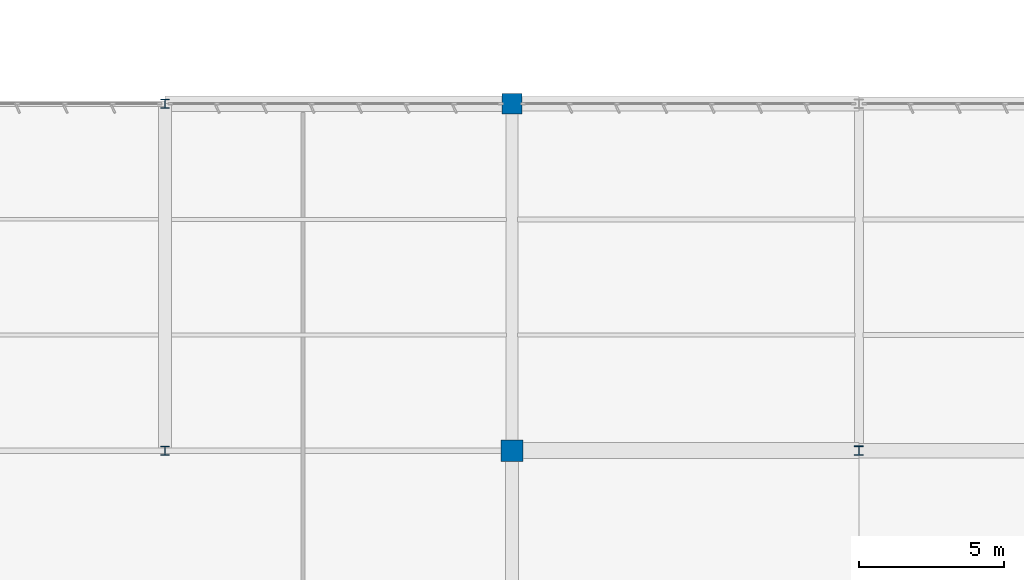
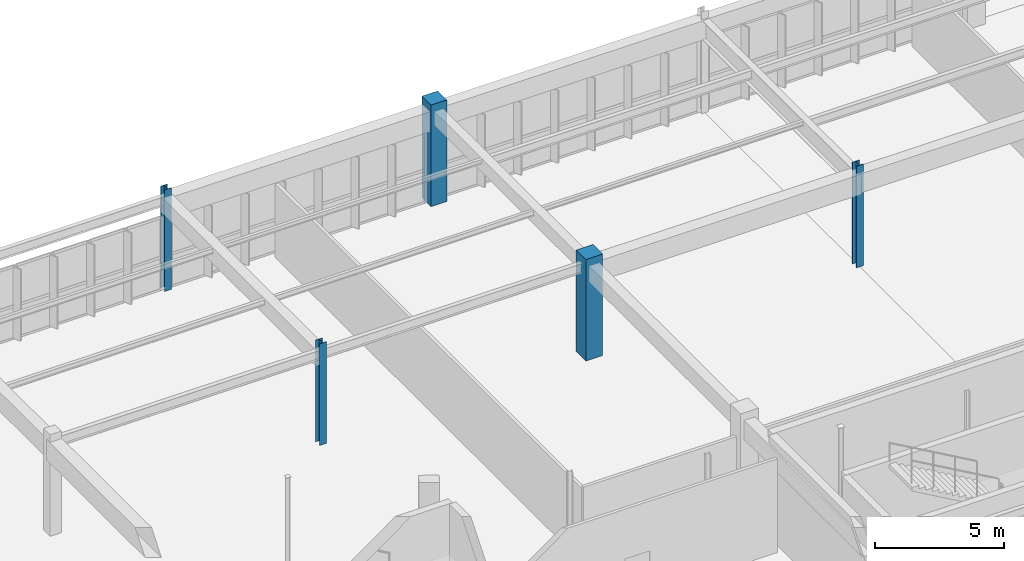
# One storey, part 13 of 226: 5 columns.
"""IFC4 building model written with IfcOpenShell, lengths in metres."""

from ifc_helpers import new_model, si_unit, direction, frame, origin, origin_2d, place, context, subcontext, project, spatial, rectangle, i_section, extrude, material, material_profile, profile_set, type_object, element, save


model = new_model("IFC4")

# Units and contexts
model_context = context("Model", 3, precision=1e-05, world=origin(), true_north=direction((0.0, 1.0)))
body_context = subcontext(model_context, "Body", "Model", "MODEL_VIEW")
ifc_project = project(units=[si_unit("LENGTHUNIT", "METRE"), si_unit("AREAUNIT", "SQUARE_METRE"), si_unit("VOLUMEUNIT", "CUBIC_METRE"), si_unit("PLANEANGLEUNIT", "RADIAN"), si_unit("MASSUNIT", "GRAM", prefix="KILO")], contexts=[model_context])

# Site, building, storey
site_placement = place(None, origin())
site = spatial("IfcSite", under=ifc_project, at=site_placement, CompositionType="ELEMENT")
building_placement = place(site_placement, origin())
building = spatial("IfcBuilding", under=site, at=building_placement, Name="Tarnwether General Hospital", CompositionType="ELEMENT")
storey_placement = place(building_placement, frame((0.0, 0.0, 4.800048828125)))
storey = spatial("IfcBuildingStorey", under=building, at=storey_placement, Name="L01", CompositionType="ELEMENT", Elevation=4.800048828125)

# Columns
ifc_material_1 = material(Name="Steel Grade 350 (350 MPa)", Category="steel")
ifc_material_profile_1 = material_profile(ifc_material_1, i_section(OverallWidth=0.31103515625, OverallDepth=0.326904296875, WebThickness=0.015625, FlangeThickness=0.02490234375, at=origin_2d()), Name="310UC158")
ifc_profile_set_1 = profile_set([ifc_material_profile_1], Name="Steel Grade 350 (350 MPa)")
column_type_1 = type_object("IfcColumnType", Name="COL-05", PredefinedType="COLUMN", material=ifc_profile_set_1)
column_1_placement = place(storey_placement, frame((96.0, 33.60009765625, 0.0), z_axis=(0.0, 0.0, 1.0), x_axis=(1.0, 0.0, 0.0)))
element("IfcColumn", 1, at=column_1_placement, inside=storey, type_object=column_type_1, Name="Column COLG-L01-9600_3360", PredefinedType="COLUMN", context=body_context, shape_type="SweptSolid", body=[
    extrude(i_section(OverallWidth=0.31103515625, OverallDepth=0.326904296875, WebThickness=0.015625, FlangeThickness=0.02490234375, at=origin_2d()), origin(), (0.0, 0.0, 1.0), 4.800048828125),
])
ifc_material_2 = material(Name="Steel Grade 350 (350 MPa)", Category="steel")
ifc_material_profile_2 = material_profile(ifc_material_2, i_section(OverallWidth=0.306884765625, OverallDepth=0.31494140625, WebThickness=0.011962890625, FlangeThickness=0.018798828125, at=origin_2d()), Name="310UC118")
ifc_profile_set_2 = profile_set([ifc_material_profile_2], Name="Steel Grade 350 (350 MPa)")
column_type_2 = type_object("IfcColumnType", Name="COL-07", PredefinedType="COLUMN", material=ifc_profile_set_2)
column_2_placement = place(storey_placement, frame((72.0, 33.60009765625, 0.0), z_axis=(0.0, 0.0, 1.0), x_axis=(1.0, 0.0, 0.0)))
element("IfcColumn", 2, at=column_2_placement, inside=storey, type_object=column_type_2, Name="Column COLG-L01-7200_3360", PredefinedType="COLUMN", context=body_context, shape_type="SweptSolid", body=[
    extrude(i_section(OverallWidth=0.306884765625, OverallDepth=0.31494140625, WebThickness=0.011962890625, FlangeThickness=0.018798828125, at=origin_2d()), origin(), (0.0, 0.0, 1.0), 4.800048828125),
])
ifc_material_3 = material(Name="Steel Grade 350 (350 MPa)", Category="steel")
ifc_material_profile_3 = material_profile(ifc_material_3, i_section(OverallWidth=0.304931640625, OverallDepth=0.30810546875, WebThickness=0.010009765625, FlangeThickness=0.015380859375, at=origin_2d()), Name="310UC96.8")
ifc_profile_set_3 = profile_set([ifc_material_profile_3], Name="Steel Grade 350 (350 MPa)")
column_type_3 = type_object("IfcColumnType", Name="COL-08", PredefinedType="COLUMN", material=ifc_profile_set_3)
column_3_placement = place(storey_placement, frame((72.0, 45.60009765625, 0.0), z_axis=(0.0, 0.0, 1.0), x_axis=(1.0, 0.0, 0.0)))
element("IfcColumn", 3, at=column_3_placement, inside=storey, type_object=column_type_3, Name="Column COLG-L01-7200_4560", PredefinedType="COLUMN", context=body_context, shape_type="SweptSolid", body=[
    extrude(i_section(OverallWidth=0.304931640625, OverallDepth=0.30810546875, WebThickness=0.010009765625, FlangeThickness=0.015380859375, at=origin_2d()), origin(), (0.0, 0.0, 1.0), 4.800048828125),
])
ifc_material_4 = material(Name="Concrete 50 MPa", Category="concrete")
ifc_material_profile_4 = material_profile(ifc_material_4, rectangle(XDim=0.75, YDim=0.75, at=origin_2d()), Name="RC-COL-750x750")
ifc_profile_set_4 = profile_set([ifc_material_profile_4], Name="Concrete 50 MPa")
column_type_4 = type_object("IfcColumnType", Name="COL-17", PredefinedType="COLUMN", material=ifc_profile_set_4)
column_4_placement = place(storey_placement, frame((84.0, 33.60009765625, 0.0), z_axis=(0.0, 0.0, 1.0), x_axis=(0.0, 1.0, 0.0)))
element("IfcColumn", 4, at=column_4_placement, inside=storey, type_object=column_type_4, Name="Column COLG-L01-8400_3360", PredefinedType="COLUMN", context=body_context, shape_type="SweptSolid", body=[
    extrude(rectangle(XDim=0.75, YDim=0.75, at=origin_2d()), origin(), (0.0, 0.0, 1.0), 4.800048828125),
])
ifc_material_5 = material(Name="Concrete 50 MPa", Category="concrete")
ifc_material_profile_5 = material_profile(ifc_material_5, rectangle(XDim=0.699951171875, YDim=0.699951171875, at=origin_2d()), Name="RC-COL-700x700")
ifc_profile_set_5 = profile_set([ifc_material_profile_5], Name="Concrete 50 MPa")
column_type_5 = type_object("IfcColumnType", Name="COL-18", PredefinedType="COLUMN", material=ifc_profile_set_5)
column_5_placement = place(storey_placement, frame((84.0, 45.60009765625, 0.0), z_axis=(0.0, 0.0, 1.0), x_axis=(0.0, 1.0, 0.0)))
element("IfcColumn", 5, at=column_5_placement, inside=storey, type_object=column_type_5, Name="Column COLG-L01-8400_4560", PredefinedType="COLUMN", context=body_context, shape_type="SweptSolid", body=[
    extrude(rectangle(XDim=0.699951171875, YDim=0.699951171875, at=origin_2d()), origin(), (0.0, 0.0, 1.0), 4.800048828125),
])

save(model, "model.ifc")
